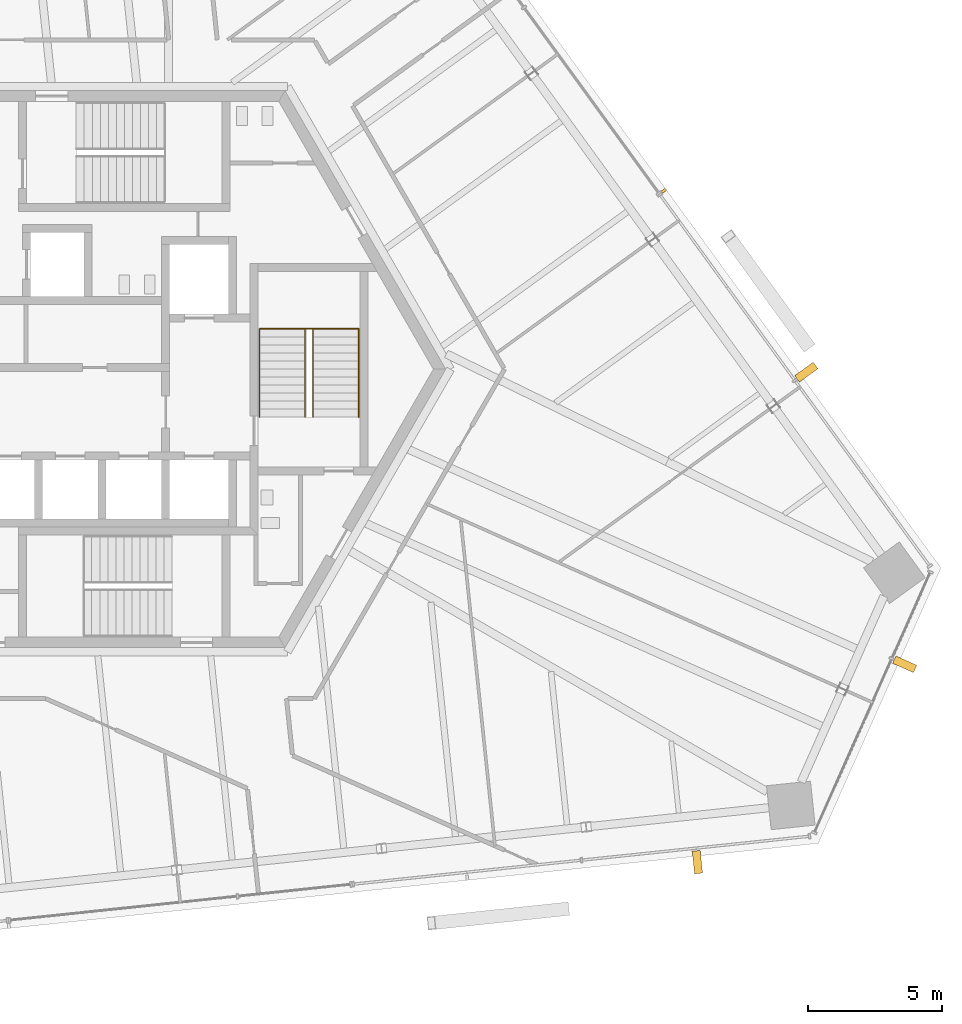
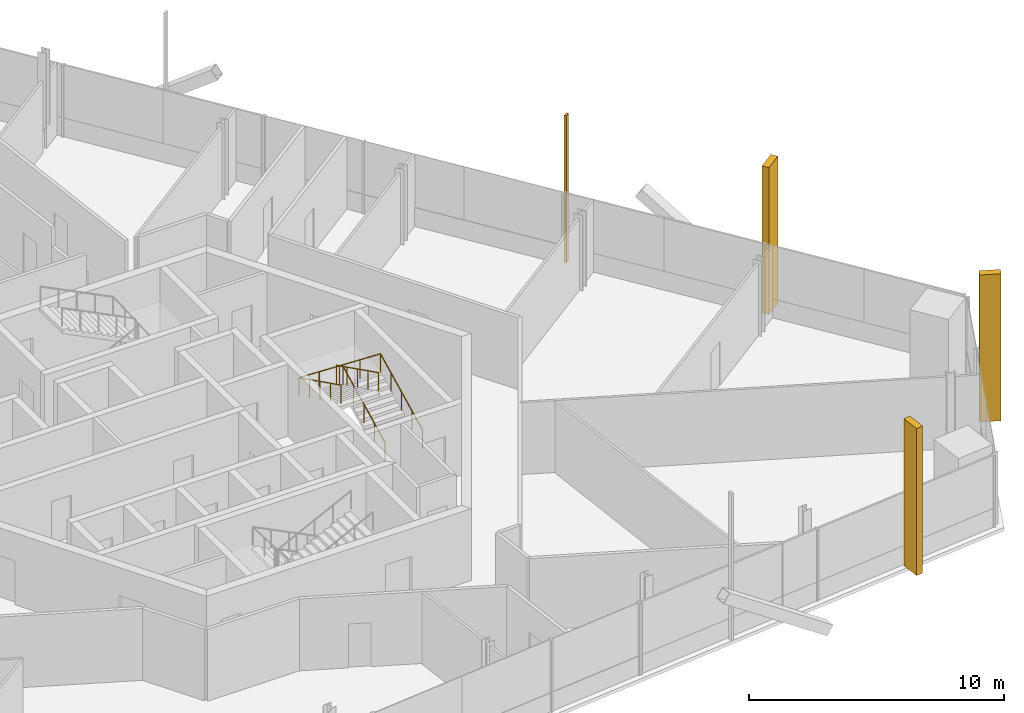
# One storey, part 16 of 20: 4 shading devices, 2 railings.
"""IFC4 building model written with IfcOpenShell, lengths in metres."""

from ifc_helpers import new_model, si_unit, direction, frame, origin, origin_2d, place, context, subcontext, project, spatial, rectangle, circle, extrude, source, transform, mapped, material, type_object, element, save


model = new_model("IFC4")

# Units and contexts
model_context = context("Model", 3, precision=1e-05, world=origin(), true_north=direction((0.0, 1.0)))
body_context = subcontext(model_context, "Body", "Model", "MODEL_VIEW")
ifc_project = project(units=[si_unit("LENGTHUNIT", "METRE"), si_unit("AREAUNIT", "SQUARE_METRE"), si_unit("VOLUMEUNIT", "CUBIC_METRE"), si_unit("PLANEANGLEUNIT", "RADIAN"), si_unit("MASSUNIT", "GRAM", prefix="KILO")], contexts=[model_context])

# Site, building, storey
site_placement = place(None, origin())
site = spatial("IfcSite", under=ifc_project, at=site_placement, CompositionType="ELEMENT")
building_placement = place(site_placement, origin())
building = spatial("IfcBuilding", under=site, at=building_placement, Name="Triune Harvest Tower", CompositionType="ELEMENT")
storey_placement = place(building_placement, frame((0.0, 0.0, 226.89990234375)))
storey = spatial("IfcBuildingStorey", under=building, at=storey_placement, Name="L59", CompositionType="ELEMENT", Elevation=226.89990234375)

# Railings
ifc_material_1 = material(Name="Stainless steel AISI 316", Category="steel")
railing_type = type_object("IfcRailingType", Name="Stair handrail", PredefinedType="HANDRAIL", material=ifc_material_1)
shared_shape_1 = source(origin(), body_context, "Body", "SweptSolid", [
    extrude(circle(Radius=0.02392578125, at=origin_2d()), frame((0.0, 0.0, 0.8759765625), z_axis=(0.0, 0.894440424912, 0.447187126696), x_axis=(-1.0, 0.0, 0.0)), (0.0, 0.0, 1.0), 3.689453125),
    extrude(circle(Radius=0.02392578125, at=origin_2d()), frame((0.0, 3.300048828125, 2.52587890625), z_axis=(-0.999177620331, 0.0, 0.040547293732), x_axis=(0.0, -1.0, 0.0)), (0.0, 0.0, 1.0), 3.702880859375),
    extrude(circle(Radius=0.02392578125, at=origin_2d()), frame((-3.699951171875, 3.300048828125, 2.67578125), z_axis=(0.0, -0.894440424912, 0.447187126696), x_axis=(1.0, 0.0, 0.0)), (0.0, 0.0, 1.0), 3.689453125),
    extrude(circle(Radius=0.02099609375, at=origin_2d()), origin(), (0.0, 0.0, 1.0), 0.851806640625),
    extrude(circle(Radius=0.02099609375, at=origin_2d()), frame((0.0, 0.824951171875, 0.41259765625)), (0.0, 0.0, 1.0), 0.851806640625),
    extrude(circle(Radius=0.02099609375, at=origin_2d()), frame((0.0, 1.64990234375, 0.824951171875)), (0.0, 0.0, 1.0), 0.851806640625),
    extrude(circle(Radius=0.02099609375, at=origin_2d()), frame((0.0, 2.47509765625, 1.2373046875)), (0.0, 0.0, 1.0), 0.851806640625),
    extrude(circle(Radius=0.02099609375, at=origin_2d()), frame((0.0, 3.300048828125, 1.64990234375)), (0.0, 0.0, 1.0), 0.851806640625),
    extrude(circle(Radius=0.02099609375, at=origin_2d()), frame((-0.925048828125, 3.300048828125, 1.6875)), (0.0, 0.0, 1.0), 0.851806640625),
    extrude(circle(Radius=0.02099609375, at=origin_2d()), frame((-1.85009765625, 3.300048828125, 1.72509765625)), (0.0, 0.0, 1.0), 0.851806640625),
    extrude(circle(Radius=0.02099609375, at=origin_2d()), frame((-2.77490234375, 3.300048828125, 1.762451171875)), (0.0, 0.0, 1.0), 0.851806640625),
    extrude(circle(Radius=0.02099609375, at=origin_2d()), frame((-3.699951171875, 3.300048828125, 1.800048828125)), (0.0, 0.0, 1.0), 0.851806640625),
    extrude(circle(Radius=0.02099609375, at=origin_2d()), frame((-3.699951171875, 2.47509765625, 2.21240234375)), (0.0, 0.0, 1.0), 0.851806640625),
    extrude(circle(Radius=0.02099609375, at=origin_2d()), frame((-3.699951171875, 1.64990234375, 2.625)), (0.0, 0.0, 1.0), 0.851806640625),
    extrude(circle(Radius=0.02099609375, at=origin_2d()), frame((-3.699951171875, 0.824951171875, 3.03759765625)), (0.0, 0.0, 1.0), 0.851806640625),
    extrude(circle(Radius=0.02099609375, at=origin_2d()), frame((-3.699951171875, 0.0, 3.449951171875)), (0.0, 0.0, 1.0), 0.851806640625),
])
railing_1_placement = place(storey_placement, frame((8.75, -1.7900390625, 0.150146484375)))
element("IfcRailing", 1, at=railing_1_placement, inside=storey, type_object=railing_type, Name="Exit stair east wall handrail", PredefinedType="HANDRAIL", context=body_context, shape_type="MappedRepresentation", body=[
    mapped(shared_shape_1, transform((0.0, 0.0, 0.0), scale=1.0)),
])
shared_shape_2 = source(origin(), body_context, "Body", "SweptSolid", [
    extrude(circle(Radius=0.02392578125, at=origin_2d()), frame((0.0, 0.0, 0.8759765625), z_axis=(0.0, 0.894440424912, 0.447187126696), x_axis=(-1.0, 0.0, 0.0)), (0.0, 0.0, 1.0), 3.689453125),
    extrude(circle(Radius=0.02392578125, at=origin_2d()), frame((0.0, 3.300048828125, 2.52587890625), z_axis=(-0.894281613681, 0.0, 0.447504631744), x_axis=(0.0, -1.0, 0.0)), (0.0, 0.0, 1.0), 0.33544921875),
    extrude(circle(Radius=0.02392578125, at=origin_2d()), frame((-0.300048828125, 3.300048828125, 2.67578125), z_axis=(0.0, -0.894440424912, 0.447187126696), x_axis=(1.0, 0.0, 0.0)), (0.0, 0.0, 1.0), 3.689453125),
    extrude(circle(Radius=0.02099609375, at=origin_2d()), origin(), (0.0, 0.0, 1.0), 0.851806640625),
    extrude(circle(Radius=0.02099609375, at=origin_2d()), frame((0.0, 0.824951171875, 0.41259765625)), (0.0, 0.0, 1.0), 0.851806640625),
    extrude(circle(Radius=0.02099609375, at=origin_2d()), frame((0.0, 1.64990234375, 0.824951171875)), (0.0, 0.0, 1.0), 0.851806640625),
    extrude(circle(Radius=0.02099609375, at=origin_2d()), frame((0.0, 2.47509765625, 1.2373046875)), (0.0, 0.0, 1.0), 0.851806640625),
    extrude(circle(Radius=0.02099609375, at=origin_2d()), frame((0.0, 3.300048828125, 1.64990234375)), (0.0, 0.0, 1.0), 0.851806640625),
    extrude(circle(Radius=0.02099609375, at=origin_2d()), frame((-0.300048828125, 3.300048828125, 1.800048828125)), (0.0, 0.0, 1.0), 0.851806640625),
    extrude(circle(Radius=0.02099609375, at=origin_2d()), frame((-0.300048828125, 2.47509765625, 2.21240234375)), (0.0, 0.0, 1.0), 0.851806640625),
    extrude(circle(Radius=0.02099609375, at=origin_2d()), frame((-0.300048828125, 1.64990234375, 2.625)), (0.0, 0.0, 1.0), 0.851806640625),
    extrude(circle(Radius=0.02099609375, at=origin_2d()), frame((-0.300048828125, 0.824951171875, 3.03759765625)), (0.0, 0.0, 1.0), 0.851806640625),
    extrude(circle(Radius=0.02099609375, at=origin_2d()), frame((-0.300048828125, 0.0, 3.449951171875)), (0.0, 0.0, 1.0), 0.851806640625),
])
railing_2_placement = place(storey_placement, frame((7.050048828125, -1.7900390625, 0.150146484375)))
element("IfcRailing", 2, at=railing_2_placement, inside=storey, type_object=railing_type, Name="Exit stair east centre handrail", PredefinedType="HANDRAIL", context=body_context, shape_type="MappedRepresentation", body=[
    mapped(shared_shape_2, transform((0.0, 0.0, 0.0), scale=1.0)),
])

# Shading devices
ifc_material_2 = material(Name="Aluminium bronze anodised", Category="aluminium")
shared_shape_3 = source(origin(), body_context, "Body", "SweptSolid", [
    extrude(rectangle(XDim=0.10009765625, YDim=0.199951171875, at=origin_2d()), origin(), (0.0, 0.0, 1.0), 7.0400390625),
])
shading_device_placement = place(storey_placement, frame((20.13623046875, 6.6572265625, 0.0), z_axis=(0.0, 0.0, 1.0), x_axis=(-0.587785672066, 0.809016689391, 0.0)))
element("IfcShadingDevice", 3, at=shading_device_placement, inside=storey, material=ifc_material_2, Name="FN-1 fin B6-F1.5 L59", ObjectType="FIN", PredefinedType="USERDEFINED", context=body_context, shape_type="MappedRepresentation", body=[
    mapped(shared_shape_3, transform((0.0, 0.0, 0.0), scale=1.0)),
])
shared_shape_4 = source(origin(), body_context, "Body", "SweptSolid", [
    extrude(rectangle(XDim=0.300048828125, YDim=0.85009765625, at=origin_2d()), origin(), (0.0, 0.0, 1.0), 7.0400390625),
])
for number, where, z_axis, x_axis, name in (
    (4, (25.4541015625, -0.109375, 0.0), (0.0, 0.0, 1.0), (-0.587785672066, 0.809016689391, 0.0), "FN-2 fin B6-F1.3 L59"),
    (5, (21.389892578125, -18.393310546875, 0.0), (0.0, 0.0, 1.0), (0.994521747579, 0.104529869379, 0.0), "FN-2 fin B6-F5.11 L59"),
    (6, (29.1259765625, -11.0107421875, 0.0), (0.0, 0.0, 1.0), (0.406743216086, 0.913542531121, 0.0), "FN-2 fin B6-F6.3 L59"),
):
    element("IfcShadingDevice", number, at=place(storey_placement, frame(where, z_axis=z_axis, x_axis=x_axis)), inside=storey, material=ifc_material_2, Name=name, ObjectType="FIN", PredefinedType="USERDEFINED", context=body_context, shape_type="MappedRepresentation", body=[
        mapped(shared_shape_4, transform((0.0, 0.0, 0.0), scale=1.0)),
    ])

save(model, "model.ifc")
